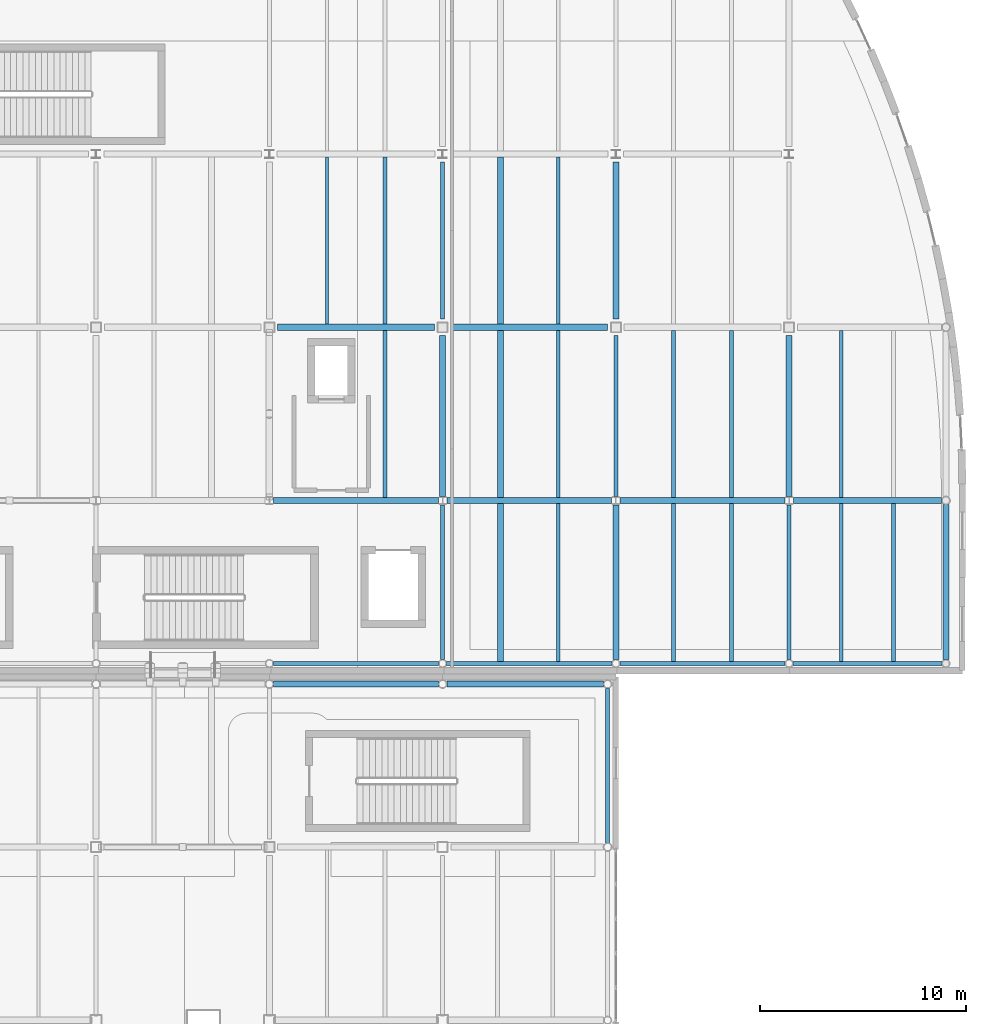
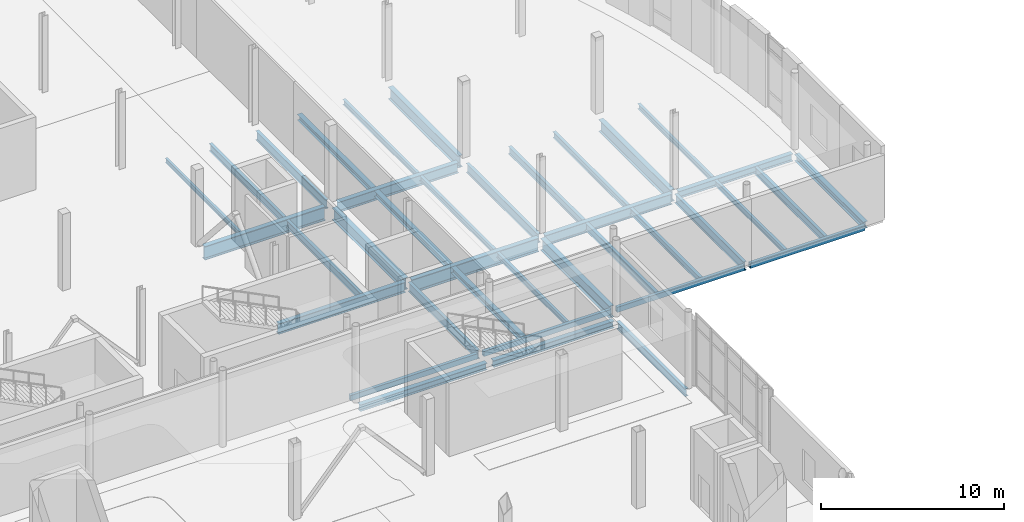
# One storey, part 47 of 104: 38 beams.
"""IFC4 building model written with IfcOpenShell, lengths in metres."""

from ifc_helpers import new_model, si_unit, direction, frame, origin, origin_2d, place, context, subcontext, project, spatial, hollow_rectangle, i_section, extrude, material, material_profile, profile_set, type_object, element, save


model = new_model("IFC4")

# Units and contexts
model_context = context("Model", 3, precision=1e-05, world=origin(), true_north=direction((0.0, 1.0)))
body_context = subcontext(model_context, "Body", "Model", "MODEL_VIEW")
ifc_project = project(units=[si_unit("LENGTHUNIT", "METRE"), si_unit("AREAUNIT", "SQUARE_METRE"), si_unit("VOLUMEUNIT", "CUBIC_METRE"), si_unit("PLANEANGLEUNIT", "RADIAN"), si_unit("MASSUNIT", "GRAM", prefix="KILO"), si_unit("THERMODYNAMICTEMPERATUREUNIT", "KELVIN")], contexts=[model_context])

# Site, building, storey
site_placement = place(None, origin())
site = spatial("IfcSite", under=ifc_project, at=site_placement, CompositionType="ELEMENT")
building_placement = place(site_placement, origin())
building = spatial("IfcBuilding", under=site, at=building_placement, Name="Lustrewick Department Store", CompositionType="ELEMENT")
storey_placement = place(building_placement, frame((0.0, 0.0, 11.39990234375)))
storey = spatial("IfcBuildingStorey", under=building, at=storey_placement, Name="L03", CompositionType="ELEMENT", Elevation=11.39990234375)

# Beams
ifc_material_1 = material(Name="Structural steel Q355B", Category="steel")
ifc_material_profile_1 = material_profile(ifc_material_1, i_section(OverallWidth=0.199951171875, OverallDepth=0.5, WebThickness=0.010009765625, FlangeThickness=0.01611328125, FilletRadius=0.01611328125, at=origin_2d()), Name="HN 500x200x10x16")
ifc_profile_set_1 = profile_set([ifc_material_profile_1], Name="Structural steel Q355B")
beam_type_1 = type_object("IfcBeamType", Name="B01", PredefinedType="JOIST", material=ifc_profile_set_1)
beam_1_placement = place(storey_placement, frame((164.666748046875, 51.0, -0.5048828125), z_axis=(0.0, 1.0, 0.0), x_axis=(-1.0, 0.0, 0.0)))
element("IfcBeam", 1, at=beam_1_placement, inside=storey, type_object=beam_type_1, Name="L03 V4 Secondary Joist B01", PredefinedType="JOIST", context=body_context, shape_type="SweptSolid", body=[
    extrude(i_section(OverallWidth=0.199951171875, OverallDepth=0.5, WebThickness=0.010009765625, FlangeThickness=0.01611328125, FilletRadius=0.01611328125, at=origin_2d()), origin(), (0.0, 0.0, 1.0), 7.64990234375),
])
ifc_material_profile_2 = material_profile(ifc_material_1, i_section(OverallWidth=0.198974609375, OverallDepth=0.49609375, WebThickness=0.009033203125, FlangeThickness=0.013916015625, FilletRadius=0.01611328125, at=origin_2d()), Name="HN 496x199x9x14")
ifc_profile_set_2 = profile_set([ifc_material_profile_2], Name="Structural steel Q355B")
beam_type_2 = type_object("IfcBeamType", Name="B02", PredefinedType="JOIST", material=ifc_profile_set_2)
beam_2_placement = place(storey_placement, frame((154.0, 51.0, -0.5029296875), z_axis=(0.0, 1.0, 0.0), x_axis=(-1.0, 0.0, 0.0)))
element("IfcBeam", 2, at=beam_2_placement, inside=storey, type_object=beam_type_2, Name="L03 V4 Secondary Joist B02", PredefinedType="JOIST", context=body_context, shape_type="SweptSolid", body=[
    extrude(i_section(OverallWidth=0.198974609375, OverallDepth=0.49609375, WebThickness=0.009033203125, FlangeThickness=0.013916015625, FilletRadius=0.01611328125, at=origin_2d()), origin(), (0.0, 0.0, 1.0), 7.64990234375),
])
beam_3_placement = place(storey_placement, frame((140.0, 58.949951171875, -0.5029296875), z_axis=(0.0, 1.0, 0.0), x_axis=(-1.0, 0.0, 0.0)))
element("IfcBeam", 3, at=beam_3_placement, inside=storey, type_object=beam_type_2, Name="L03 V4 Secondary Joist B02", PredefinedType="JOIST", context=body_context, shape_type="SweptSolid", body=[
    extrude(i_section(OverallWidth=0.198974609375, OverallDepth=0.49609375, WebThickness=0.009033203125, FlangeThickness=0.013916015625, FilletRadius=0.01611328125, at=origin_2d()), origin(), (0.0, 0.0, 1.0), 8.09912109375),
])
beam_4_placement = place(storey_placement, frame((154.0, 58.949951171875, -0.5029296875), z_axis=(0.0, 1.0, 0.0), x_axis=(-1.0, 0.0, 0.0)))
element("IfcBeam", 4, at=beam_4_placement, inside=storey, type_object=beam_type_2, Name="L03 V4 Secondary Joist B02", PredefinedType="JOIST", context=body_context, shape_type="SweptSolid", body=[
    extrude(i_section(OverallWidth=0.198974609375, OverallDepth=0.49609375, WebThickness=0.009033203125, FlangeThickness=0.013916015625, FilletRadius=0.01611328125, at=origin_2d()), origin(), (0.0, 0.0, 1.0), 8.10009765625),
])
beam_5_placement = place(storey_placement, frame((140.0, 67.35107421875, -0.5029296875), z_axis=(0.0, 1.0, 0.0), x_axis=(-1.0, 0.0, 0.0)))
element("IfcBeam", 5, at=beam_5_placement, inside=storey, type_object=beam_type_2, Name="L03 V4 Secondary Joist B02", PredefinedType="JOIST", context=body_context, shape_type="SweptSolid", body=[
    extrude(i_section(OverallWidth=0.198974609375, OverallDepth=0.49609375, WebThickness=0.009033203125, FlangeThickness=0.013916015625, FilletRadius=0.01611328125, at=origin_2d()), origin(), (0.0, 0.0, 1.0), 8.098876953125),
])
ifc_material_profile_3 = material_profile(ifc_material_1, i_section(OverallWidth=0.198974609375, OverallDepth=0.39599609375, WebThickness=0.007080078125, FlangeThickness=0.010986328125, FilletRadius=0.013916015625, at=origin_2d()), Name="HN 396x199x7x11")
ifc_profile_set_3 = profile_set([ifc_material_profile_3], Name="Structural steel Q355B")
beam_type_3 = type_object("IfcBeamType", Name="B06", PredefinedType="JOIST", material=ifc_profile_set_3)
beam_6_placement = place(storey_placement, frame((156.800048828125, 51.0, -0.452880859375), z_axis=(0.0, 1.0, 0.0), x_axis=(-1.0, 0.0, 0.0)))
element("IfcBeam", 6, at=beam_6_placement, inside=storey, type_object=beam_type_3, Name="L03 V4 Secondary Joist B06", PredefinedType="JOIST", context=body_context, shape_type="SweptSolid", body=[
    extrude(i_section(OverallWidth=0.198974609375, OverallDepth=0.39599609375, WebThickness=0.007080078125, FlangeThickness=0.010986328125, FilletRadius=0.013916015625, at=origin_2d()), origin(), (0.0, 0.0, 1.0), 7.64990234375),
])
beam_7_placement = place(storey_placement, frame((156.800048828125, 58.949951171875, -0.452880859375), z_axis=(0.0, 1.0, 0.0), x_axis=(-1.0, 0.0, 0.0)))
element("IfcBeam", 7, at=beam_7_placement, inside=storey, type_object=beam_type_3, Name="L03 V4 Secondary Joist B06", PredefinedType="JOIST", context=body_context, shape_type="SweptSolid", body=[
    extrude(i_section(OverallWidth=0.198974609375, OverallDepth=0.39599609375, WebThickness=0.007080078125, FlangeThickness=0.010986328125, FilletRadius=0.013916015625, at=origin_2d()), origin(), (0.0, 0.0, 1.0), 8.10009765625),
])
ifc_material_profile_4 = material_profile(ifc_material_1, i_section(OverallWidth=0.300048828125, OverallDepth=0.389892578125, WebThickness=0.010009765625, FlangeThickness=0.01611328125, FilletRadius=0.01806640625, at=origin_2d()), Name="HM 390x300x10x16")
ifc_profile_set_4 = profile_set([ifc_material_profile_4], Name="Structural steel Q355B")
beam_type_4 = type_object("IfcBeamType", Name="B07", PredefinedType="JOIST", material=ifc_profile_set_4)
beam_8_placement = place(storey_placement, frame((145.60009765625, 51.0, -0.449951171875), z_axis=(0.0, 1.0, 0.0), x_axis=(-1.0, 0.0, 0.0)))
element("IfcBeam", 8, at=beam_8_placement, inside=storey, type_object=beam_type_4, Name="L03 V4 Secondary Joist B07", PredefinedType="JOIST", context=body_context, shape_type="SweptSolid", body=[
    extrude(i_section(OverallWidth=0.300048828125, OverallDepth=0.389892578125, WebThickness=0.010009765625, FlangeThickness=0.01611328125, FilletRadius=0.01806640625, at=origin_2d()), origin(), (0.0, 0.0, 1.0), 7.64892578125),
])
beam_9_placement = place(storey_placement, frame((145.60009765625, 58.950927734375, -0.449951171875), z_axis=(0.0, 1.0, 0.0), x_axis=(-1.0, 0.0, 0.0)))
element("IfcBeam", 9, at=beam_9_placement, inside=storey, type_object=beam_type_4, Name="L03 V4 Secondary Joist B07", PredefinedType="JOIST", context=body_context, shape_type="SweptSolid", body=[
    extrude(i_section(OverallWidth=0.300048828125, OverallDepth=0.389892578125, WebThickness=0.010009765625, FlangeThickness=0.01611328125, FilletRadius=0.01806640625, at=origin_2d()), origin(), (0.0, 0.0, 1.0), 8.09912109375),
])
beam_10_placement = place(storey_placement, frame((145.60009765625, 67.35009765625, -0.449951171875), z_axis=(0.0, 1.0, 0.0), x_axis=(-1.0, 0.0, 0.0)))
element("IfcBeam", 10, at=beam_10_placement, inside=storey, type_object=beam_type_4, Name="L03 V4 Secondary Joist B07", PredefinedType="JOIST", context=body_context, shape_type="SweptSolid", body=[
    extrude(i_section(OverallWidth=0.300048828125, OverallDepth=0.389892578125, WebThickness=0.010009765625, FlangeThickness=0.01611328125, FilletRadius=0.01806640625, at=origin_2d()), origin(), (0.0, 0.0, 1.0), 8.099853515625),
])
ifc_material_profile_5 = material_profile(ifc_material_1, i_section(OverallWidth=0.174072265625, OverallDepth=0.345947265625, WebThickness=0.006103515625, FlangeThickness=0.009033203125, FilletRadius=0.012939453125, at=origin_2d()), Name="HN 346x174x6x9")
ifc_profile_set_5 = profile_set([ifc_material_profile_5], Name="Structural steel Q355B")
beam_type_5 = type_object("IfcBeamType", Name="B10", PredefinedType="JOIST", material=ifc_profile_set_5)
beam_11_placement = place(storey_placement, frame((148.39990234375, 51.0, -0.427978515625), z_axis=(0.0, 1.0, 0.0), x_axis=(-1.0, 0.0, 0.0)))
element("IfcBeam", 11, at=beam_11_placement, inside=storey, type_object=beam_type_5, Name="L03 V4 Secondary Joist B10", PredefinedType="JOIST", context=body_context, shape_type="SweptSolid", body=[
    extrude(i_section(OverallWidth=0.174072265625, OverallDepth=0.345947265625, WebThickness=0.006103515625, FlangeThickness=0.009033203125, FilletRadius=0.012939453125, at=origin_2d()), origin(), (0.0, 0.0, 1.0), 7.64892578125),
])
beam_12_placement = place(storey_placement, frame((162.13330078125, 51.0, -0.427978515625), z_axis=(0.0, 1.0, 0.0), x_axis=(-1.0, 0.0, 0.0)))
element("IfcBeam", 12, at=beam_12_placement, inside=storey, type_object=beam_type_5, Name="L03 V4 Secondary Joist B10", PredefinedType="JOIST", context=body_context, shape_type="SweptSolid", body=[
    extrude(i_section(OverallWidth=0.174072265625, OverallDepth=0.345947265625, WebThickness=0.006103515625, FlangeThickness=0.009033203125, FilletRadius=0.012939453125, at=origin_2d()), origin(), (0.0, 0.0, 1.0), 7.64990234375),
])
beam_13_placement = place(storey_placement, frame((148.39990234375, 58.950927734375, -0.427978515625), z_axis=(0.0, 1.0, 0.0), x_axis=(-1.0, 0.0, 0.0)))
element("IfcBeam", 13, at=beam_13_placement, inside=storey, type_object=beam_type_5, Name="L03 V4 Secondary Joist B10", PredefinedType="JOIST", context=body_context, shape_type="SweptSolid", body=[
    extrude(i_section(OverallWidth=0.174072265625, OverallDepth=0.345947265625, WebThickness=0.006103515625, FlangeThickness=0.009033203125, FilletRadius=0.012939453125, at=origin_2d()), origin(), (0.0, 0.0, 1.0), 8.09912109375),
])
beam_14_placement = place(storey_placement, frame((162.13330078125, 58.949951171875, -0.427978515625), z_axis=(0.0, 1.0, 0.0), x_axis=(-1.0, 0.0, 0.0)))
element("IfcBeam", 14, at=beam_14_placement, inside=storey, type_object=beam_type_5, Name="L03 V4 Secondary Joist B10", PredefinedType="JOIST", context=body_context, shape_type="SweptSolid", body=[
    extrude(i_section(OverallWidth=0.174072265625, OverallDepth=0.345947265625, WebThickness=0.006103515625, FlangeThickness=0.009033203125, FilletRadius=0.012939453125, at=origin_2d()), origin(), (0.0, 0.0, 1.0), 8.10009765625),
])
beam_15_placement = place(storey_placement, frame((148.39990234375, 67.35009765625, -0.427978515625), z_axis=(0.0, 1.0, 0.0), x_axis=(-1.0, 0.0, 0.0)))
element("IfcBeam", 15, at=beam_15_placement, inside=storey, type_object=beam_type_5, Name="L03 V4 Secondary Joist B10", PredefinedType="JOIST", context=body_context, shape_type="SweptSolid", body=[
    extrude(i_section(OverallWidth=0.174072265625, OverallDepth=0.345947265625, WebThickness=0.006103515625, FlangeThickness=0.009033203125, FilletRadius=0.012939453125, at=origin_2d()), origin(), (0.0, 0.0, 1.0), 8.099853515625),
])
ifc_material_profile_6 = material_profile(ifc_material_1, i_section(OverallWidth=0.14990234375, OverallDepth=0.300048828125, WebThickness=0.006591796875, FlangeThickness=0.009033203125, FilletRadius=0.011962890625, at=origin_2d()), Name="HN 300x150x6.5x9")
ifc_profile_set_6 = profile_set([ifc_material_profile_6], Name="Structural steel Q355B")
beam_type_6 = type_object("IfcBeamType", Name="B11", PredefinedType="JOIST", material=ifc_profile_set_6)
beam_16_placement = place(storey_placement, frame((137.199951171875, 67.35107421875, -0.40478515625), z_axis=(0.0, 1.0, 0.0), x_axis=(-1.0, 0.0, 0.0)))
element("IfcBeam", 16, at=beam_16_placement, inside=storey, type_object=beam_type_6, Name="L03 V4 Secondary Joist B11", PredefinedType="JOIST", context=body_context, shape_type="SweptSolid", body=[
    extrude(i_section(OverallWidth=0.14990234375, OverallDepth=0.300048828125, WebThickness=0.006591796875, FlangeThickness=0.009033203125, FilletRadius=0.011962890625, at=origin_2d()), origin(), (0.0, 0.0, 1.0), 8.098876953125),
])
ifc_material_2 = material(Name="Structural steel Q355C", Category="steel")
ifc_material_profile_7 = material_profile(ifc_material_2, i_section(OverallWidth=0.302001953125, OverallDepth=0.912109375, WebThickness=0.01806640625, FlangeThickness=0.033935546875, FilletRadius=0.02392578125, at=origin_2d()), Name="HN 912x302x18x34")
ifc_profile_set_7 = profile_set([ifc_material_profile_7], Name="Structural steel Q355C")
beam_type_7 = type_object("IfcBeamType", Name="G01", PredefinedType="BEAM", material=ifc_profile_set_7)
beam_17_placement = place(storey_placement, frame((143.00244140625, 58.800048828125, -0.7109375), z_axis=(1.0, 0.0, 0.0), x_axis=(0.0, 1.0, 0.0)))
element("IfcBeam", 17, at=beam_17_placement, inside=storey, type_object=beam_type_7, Name="L03 V4 Girder G01", PredefinedType="BEAM", context=body_context, shape_type="SweptSolid", body=[
    extrude(i_section(OverallWidth=0.302001953125, OverallDepth=0.912109375, WebThickness=0.01806640625, FlangeThickness=0.033935546875, FilletRadius=0.02392578125, at=origin_2d()), origin(), (0.0, 0.0, 1.0), 7.9951171875),
])
beam_18_placement = place(storey_placement, frame((134.800048828125, 67.199951171875, -0.7109375), z_axis=(1.0, 0.0, 0.0), x_axis=(0.0, 1.0, 0.0)))
element("IfcBeam", 18, at=beam_18_placement, inside=storey, type_object=beam_type_7, Name="L03 V4 Girder G01", PredefinedType="BEAM", context=body_context, shape_type="SweptSolid", body=[
    extrude(i_section(OverallWidth=0.302001953125, OverallDepth=0.912109375, WebThickness=0.01806640625, FlangeThickness=0.033935546875, FilletRadius=0.02392578125, at=origin_2d()), origin(), (0.0, 0.0, 1.0), 7.599853515625),
])
ifc_material_profile_8 = material_profile(ifc_material_1, i_section(OverallWidth=0.300048828125, OverallDepth=0.800048828125, WebThickness=0.013916015625, FlangeThickness=0.02587890625, FilletRadius=0.02197265625, at=origin_2d()), Name="HN 800x300x14x26")
ifc_profile_set_8 = profile_set([ifc_material_profile_8], Name="Structural steel Q355B")
beam_type_8 = type_object("IfcBeamType", Name="G05", PredefinedType="BEAM", material=ifc_profile_set_8)
beam_19_placement = place(storey_placement, frame((151.199951171875, 67.60009765625, -0.65478515625), z_axis=(0.0, 1.0, 0.0), x_axis=(-1.0, 0.0, 0.0)))
element("IfcBeam", 19, at=beam_19_placement, inside=storey, type_object=beam_type_8, Name="L03 V4 Girder G05", PredefinedType="BEAM", context=body_context, shape_type="SweptSolid", body=[
    extrude(i_section(OverallWidth=0.300048828125, OverallDepth=0.800048828125, WebThickness=0.013916015625, FlangeThickness=0.02587890625, FilletRadius=0.02197265625, at=origin_2d()), origin(), (0.0, 0.0, 1.0), 7.625),
])
beam_20_placement = place(storey_placement, frame((159.60009765625, 59.007080078125, -0.65478515625), z_axis=(0.0, 1.0, 0.0), x_axis=(-1.0, 0.0, 0.0)))
element("IfcBeam", 20, at=beam_20_placement, inside=storey, type_object=beam_type_8, Name="L03 V4 Girder G05", PredefinedType="BEAM", context=body_context, shape_type="SweptSolid", body=[
    extrude(i_section(OverallWidth=0.300048828125, OverallDepth=0.800048828125, WebThickness=0.013916015625, FlangeThickness=0.02587890625, FilletRadius=0.02197265625, at=origin_2d()), origin(), (0.0, 0.0, 1.0), 7.79296875),
])
ifc_material_profile_9 = material_profile(ifc_material_1, i_section(OverallWidth=0.300048828125, OverallDepth=0.7919921875, WebThickness=0.013916015625, FlangeThickness=0.02197265625, FilletRadius=0.02197265625, at=origin_2d()), Name="HN 792x300x14x22")
ifc_profile_set_9 = profile_set([ifc_material_profile_9], Name="Structural steel Q355B")
beam_type_9 = type_object("IfcBeamType", Name="G06", PredefinedType="BEAM", material=ifc_profile_set_9)
beam_21_placement = place(storey_placement, frame((142.800048828125, 59.007080078125, -0.65087890625), z_axis=(0.0, 1.0, 0.0), x_axis=(-1.0, 0.0, 0.0)))
element("IfcBeam", 21, at=beam_21_placement, inside=storey, type_object=beam_type_9, Name="L03 V4 Girder G06", PredefinedType="BEAM", context=body_context, shape_type="SweptSolid", body=[
    extrude(i_section(OverallWidth=0.300048828125, OverallDepth=0.7919921875, WebThickness=0.013916015625, FlangeThickness=0.02197265625, FilletRadius=0.02197265625, at=origin_2d()), origin(), (0.0, 0.0, 1.0), 7.79296875),
])
beam_22_placement = place(storey_placement, frame((151.199951171875, 51.08837890625, -0.65087890625), z_axis=(0.0, 1.0, 0.0), x_axis=(-1.0, 0.0, 0.0)))
element("IfcBeam", 22, at=beam_22_placement, inside=storey, type_object=beam_type_9, Name="L03 V4 Girder G06", PredefinedType="BEAM", context=body_context, shape_type="SweptSolid", body=[
    extrude(i_section(OverallWidth=0.300048828125, OverallDepth=0.7919921875, WebThickness=0.013916015625, FlangeThickness=0.02197265625, FilletRadius=0.02197265625, at=origin_2d()), origin(), (0.0, 0.0, 1.0), 7.504638671875),
])
ifc_material_profile_10 = material_profile(ifc_material_1, i_section(OverallWidth=0.300048828125, OverallDepth=0.69189453125, WebThickness=0.012939453125, FlangeThickness=0.02001953125, FilletRadius=0.02001953125, at=origin_2d()), Name="HN 692x300x13x20")
ifc_profile_set_10 = profile_set([ifc_material_profile_10], Name="Structural steel Q355B")
beam_type_10 = type_object("IfcBeamType", Name="G09", PredefinedType="BEAM", material=ifc_profile_set_10)
for number, where, z_axis, x_axis, name in (
    (23, (134.6025390625, 58.800048828125, -0.600830078125), (1.0, 0.0, 0.0), (0.0, 1.0, 0.0), "L03 V4 Girder G09"),
    (24, (151.402587890625, 58.800048828125, -0.600830078125), (1.0, 0.0, 0.0), (0.0, 1.0, 0.0), "L03 V4 Girder G09"),
):
    element("IfcBeam", number, at=place(storey_placement, frame(where, z_axis=z_axis, x_axis=x_axis)), inside=storey, type_object=beam_type_10, Name=name, PredefinedType="BEAM", context=body_context, shape_type="SweptSolid", body=[
        extrude(i_section(OverallWidth=0.300048828125, OverallDepth=0.69189453125, WebThickness=0.012939453125, FlangeThickness=0.02001953125, FilletRadius=0.02001953125, at=origin_2d()), origin(), (0.0, 0.0, 1.0), 7.994873046875),
    ])
beam_23_placement = place(storey_placement, frame((143.199951171875, 67.199951171875, -0.600830078125), z_axis=(1.0, 0.0, 0.0), x_axis=(0.0, 1.0, 0.0)))
element("IfcBeam", 25, at=beam_23_placement, inside=storey, type_object=beam_type_10, Name="L03 V4 Girder G09", PredefinedType="BEAM", context=body_context, shape_type="SweptSolid", body=[
    extrude(i_section(OverallWidth=0.300048828125, OverallDepth=0.69189453125, WebThickness=0.012939453125, FlangeThickness=0.02001953125, FilletRadius=0.02001953125, at=origin_2d()), origin(), (0.0, 0.0, 1.0), 7.60009765625),
])
ifc_material_profile_11 = material_profile(ifc_material_1, i_section(OverallWidth=0.199951171875, OverallDepth=0.60009765625, WebThickness=0.010986328125, FlangeThickness=0.01708984375, FilletRadius=0.01806640625, at=origin_2d()), Name="HN 600x200x11x17")
ifc_profile_set_11 = profile_set([ifc_material_profile_11], Name="Structural steel Q355B")
beam_type_11 = type_object("IfcBeamType", Name="G14", PredefinedType="BEAM", material=ifc_profile_set_11)
beam_24_placement = place(storey_placement, frame((142.800048828125, 67.60009765625, -0.554931640625), z_axis=(0.0, 1.0, 0.0), x_axis=(-1.0, 0.0, 0.0)))
element("IfcBeam", 26, at=beam_24_placement, inside=storey, type_object=beam_type_11, Name="L03 V4 Girder G14", PredefinedType="BEAM", context=body_context, shape_type="SweptSolid", body=[
    extrude(i_section(OverallWidth=0.199951171875, OverallDepth=0.60009765625, WebThickness=0.010986328125, FlangeThickness=0.01708984375, FilletRadius=0.01806640625, at=origin_2d()), origin(), (0.0, 0.0, 1.0), 7.625),
])
beam_25_placement = place(storey_placement, frame((151.199951171875, 59.007080078125, -0.554931640625), z_axis=(0.0, 1.0, 0.0), x_axis=(-1.0, 0.0, 0.0)))
element("IfcBeam", 27, at=beam_25_placement, inside=storey, type_object=beam_type_11, Name="L03 V4 Girder G14", PredefinedType="BEAM", context=body_context, shape_type="SweptSolid", body=[
    extrude(i_section(OverallWidth=0.199951171875, OverallDepth=0.60009765625, WebThickness=0.010986328125, FlangeThickness=0.01708984375, FilletRadius=0.01806640625, at=origin_2d()), origin(), (0.0, 0.0, 1.0), 7.79296875),
])
beam_26_placement = place(storey_placement, frame((159.60009765625, 51.08837890625, -0.554931640625), z_axis=(0.0, 1.0, 0.0), x_axis=(-1.0, 0.0, 0.0)))
element("IfcBeam", 28, at=beam_26_placement, inside=storey, type_object=beam_type_11, Name="L03 V4 Girder G14", PredefinedType="BEAM", context=body_context, shape_type="SweptSolid", body=[
    extrude(i_section(OverallWidth=0.199951171875, OverallDepth=0.60009765625, WebThickness=0.010986328125, FlangeThickness=0.01708984375, FilletRadius=0.01806640625, at=origin_2d()), origin(), (0.0, 0.0, 1.0), 7.504638671875),
])
ifc_material_profile_12 = material_profile(ifc_material_1, i_section(OverallWidth=0.198974609375, OverallDepth=0.595947265625, WebThickness=0.010009765625, FlangeThickness=0.014892578125, FilletRadius=0.01806640625, at=origin_2d()), Name="HN 596x199x10x15")
ifc_profile_set_12 = profile_set([ifc_material_profile_12], Name="Structural steel Q355B")
beam_type_12 = type_object("IfcBeamType", Name="G15", PredefinedType="BEAM", material=ifc_profile_set_12)
beam_27_placement = place(storey_placement, frame((142.800048828125, 51.08837890625, -0.552978515625), z_axis=(0.0, 1.0, 0.0), x_axis=(-1.0, 0.0, 0.0)))
element("IfcBeam", 29, at=beam_27_placement, inside=storey, type_object=beam_type_12, Name="L03 V4 Girder G15", PredefinedType="BEAM", context=body_context, shape_type="SweptSolid", body=[
    extrude(i_section(OverallWidth=0.198974609375, OverallDepth=0.595947265625, WebThickness=0.010009765625, FlangeThickness=0.014892578125, FilletRadius=0.01806640625, at=origin_2d()), origin(), (0.0, 0.0, 1.0), 7.504638671875),
])
ifc_material_profile_13 = material_profile(ifc_material_1, i_section(OverallWidth=0.300048828125, OverallDepth=0.48193359375, WebThickness=0.010986328125, FlangeThickness=0.014892578125, FilletRadius=0.02197265625, at=origin_2d()), Name="HM 482x300x11x15")
ifc_profile_set_13 = profile_set([ifc_material_profile_13], Name="Structural steel Q355B")
beam_type_13 = type_object("IfcBeamType", Name="G20", PredefinedType="BEAM", material=ifc_profile_set_13)
beam_28_placement = place(storey_placement, frame((159.802490234375, 58.800048828125, -0.495849609375), z_axis=(1.0, 0.0, 0.0), x_axis=(0.0, 1.0, 0.0)))
element("IfcBeam", 30, at=beam_28_placement, inside=storey, type_object=beam_type_13, Name="L03 V4 Girder G20", PredefinedType="BEAM", context=body_context, shape_type="SweptSolid", body=[
    extrude(i_section(OverallWidth=0.300048828125, OverallDepth=0.48193359375, WebThickness=0.010986328125, FlangeThickness=0.014892578125, FilletRadius=0.02197265625, at=origin_2d()), origin(), (0.0, 0.0, 1.0), 7.194580078125),
])
ifc_material_profile_14 = material_profile(ifc_material_1, i_section(OverallWidth=0.200927734375, OverallDepth=0.506103515625, WebThickness=0.010986328125, FlangeThickness=0.01904296875, FilletRadius=0.01611328125, at=origin_2d()), Name="HN 506x201x11x19")
ifc_profile_set_14 = profile_set([ifc_material_profile_14], Name="Structural steel Q355B")
beam_type_14 = type_object("IfcBeamType", Name="SP01", PredefinedType="SPANDREL", material=ifc_profile_set_14)
beam_29_placement = place(storey_placement, frame((150.800048828125, 42.202880859375, -0.5078125), z_axis=(0.0, 1.0, 0.0), x_axis=(-1.0, 0.0, 0.0)))
element("IfcBeam", 31, at=beam_29_placement, inside=storey, type_object=beam_type_14, Name="L03 V3 Girder SP01", PredefinedType="SPANDREL", context=body_context, shape_type="SweptSolid", body=[
    extrude(i_section(OverallWidth=0.200927734375, OverallDepth=0.506103515625, WebThickness=0.010986328125, FlangeThickness=0.01904296875, FilletRadius=0.01611328125, at=origin_2d()), origin(), (0.0, 0.0, 1.0), 7.494140625),
])
ifc_material_profile_15 = material_profile(ifc_material_1, i_section(OverallWidth=0.300048828125, OverallDepth=0.43994140625, WebThickness=0.010986328125, FlangeThickness=0.01806640625, FilletRadius=0.02001953125, at=origin_2d()), Name="HM 440x300x11x18")
ifc_profile_set_15 = profile_set([ifc_material_profile_15], Name="Structural steel Q355B")
beam_type_15 = type_object("IfcBeamType", Name="SP02", PredefinedType="SPANDREL", material=ifc_profile_set_15)
beam_30_placement = place(storey_placement, frame((134.60302734375, 49.89990234375, -0.474853515625), z_axis=(1.0, 0.0, 0.0), x_axis=(0.0, 1.0, 0.0)))
element("IfcBeam", 32, at=beam_30_placement, inside=storey, type_object=beam_type_15, Name="L03 V3 Girder SP02", PredefinedType="SPANDREL", context=body_context, shape_type="SweptSolid", body=[
    extrude(i_section(OverallWidth=0.300048828125, OverallDepth=0.43994140625, WebThickness=0.010986328125, FlangeThickness=0.01806640625, FilletRadius=0.02001953125, at=origin_2d()), origin(), (0.0, 0.0, 1.0), 7.993896484375),
])
beam_31_placement = place(storey_placement, frame((143.0029296875, 49.89990234375, -0.474853515625), z_axis=(1.0, 0.0, 0.0), x_axis=(0.0, 1.0, 0.0)))
element("IfcBeam", 33, at=beam_31_placement, inside=storey, type_object=beam_type_15, Name="L03 V3 Girder SP02", PredefinedType="SPANDREL", context=body_context, shape_type="SweptSolid", body=[
    extrude(i_section(OverallWidth=0.300048828125, OverallDepth=0.43994140625, WebThickness=0.010986328125, FlangeThickness=0.01806640625, FilletRadius=0.02001953125, at=origin_2d()), origin(), (0.0, 0.0, 1.0), 7.593994140625),
])
beam_32_placement = place(storey_placement, frame((167.199951171875, 51.08837890625, -0.474853515625), z_axis=(0.0, 1.0, 0.0), x_axis=(-1.0, 0.0, 0.0)))
element("IfcBeam", 34, at=beam_32_placement, inside=storey, type_object=beam_type_15, Name="L03 V4 Girder SP02", PredefinedType="SPANDREL", context=body_context, shape_type="SweptSolid", body=[
    extrude(i_section(OverallWidth=0.300048828125, OverallDepth=0.43994140625, WebThickness=0.010986328125, FlangeThickness=0.01806640625, FilletRadius=0.02001953125, at=origin_2d()), origin(), (0.0, 0.0, 1.0), 7.508544921875),
])
ifc_material_profile_16 = material_profile(ifc_material_2, hollow_rectangle(XDim=0.199951171875, YDim=0.35009765625, WallThickness=0.011962890625, at=origin_2d()), Name="RHS 350x200x12")
ifc_profile_set_16 = profile_set([ifc_material_profile_16], Name="Structural steel Q355C")
beam_type_16 = type_object("IfcBeamType", Name="SP03", PredefinedType="SPANDREL", material=ifc_profile_set_16)
beam_33_placement = place(storey_placement, frame((134.58837890625, 50.89990234375, -0.429931640625), z_axis=(1.0, 0.0, 0.0), x_axis=(0.0, 1.0, 0.0)))
element("IfcBeam", 35, at=beam_33_placement, inside=storey, type_object=beam_type_16, Name="L03 V4 Girder SP03", PredefinedType="SPANDREL", context=body_context, shape_type="SweptSolid", body=[
    extrude(hollow_rectangle(XDim=0.199951171875, YDim=0.35009765625, WallThickness=0.011962890625, at=origin_2d()), origin(), (0.0, 0.0, 1.0), 8.023193359375),
])
beam_34_placement = place(storey_placement, frame((142.988525390625, 50.89990234375, -0.429931640625), z_axis=(1.0, 0.0, 0.0), x_axis=(0.0, 1.0, 0.0)))
element("IfcBeam", 36, at=beam_34_placement, inside=storey, type_object=beam_type_16, Name="L03 V4 Girder SP03", PredefinedType="SPANDREL", context=body_context, shape_type="SweptSolid", body=[
    extrude(hollow_rectangle(XDim=0.199951171875, YDim=0.35009765625, WallThickness=0.011962890625, at=origin_2d()), origin(), (0.0, 0.0, 1.0), 8.02294921875),
])
beam_35_placement = place(storey_placement, frame((151.388427734375, 50.89990234375, -0.429931640625), z_axis=(1.0, 0.0, 0.0), x_axis=(0.0, 1.0, 0.0)))
element("IfcBeam", 37, at=beam_35_placement, inside=storey, type_object=beam_type_16, Name="L03 V4 Girder SP03", PredefinedType="SPANDREL", context=body_context, shape_type="SweptSolid", body=[
    extrude(hollow_rectangle(XDim=0.199951171875, YDim=0.35009765625, WallThickness=0.011962890625, at=origin_2d()), origin(), (0.0, 0.0, 1.0), 8.023193359375),
])
beam_36_placement = place(storey_placement, frame((159.78857421875, 50.89990234375, -0.429931640625), z_axis=(1.0, 0.0, 0.0), x_axis=(0.0, 1.0, 0.0)))
element("IfcBeam", 38, at=beam_36_placement, inside=storey, type_object=beam_type_16, Name="L03 V4 Girder SP03", PredefinedType="SPANDREL", context=body_context, shape_type="SweptSolid", body=[
    extrude(hollow_rectangle(XDim=0.199951171875, YDim=0.35009765625, WallThickness=0.011962890625, at=origin_2d()), origin(), (0.0, 0.0, 1.0), 7.222900390625),
])

save(model, "model.ifc")
